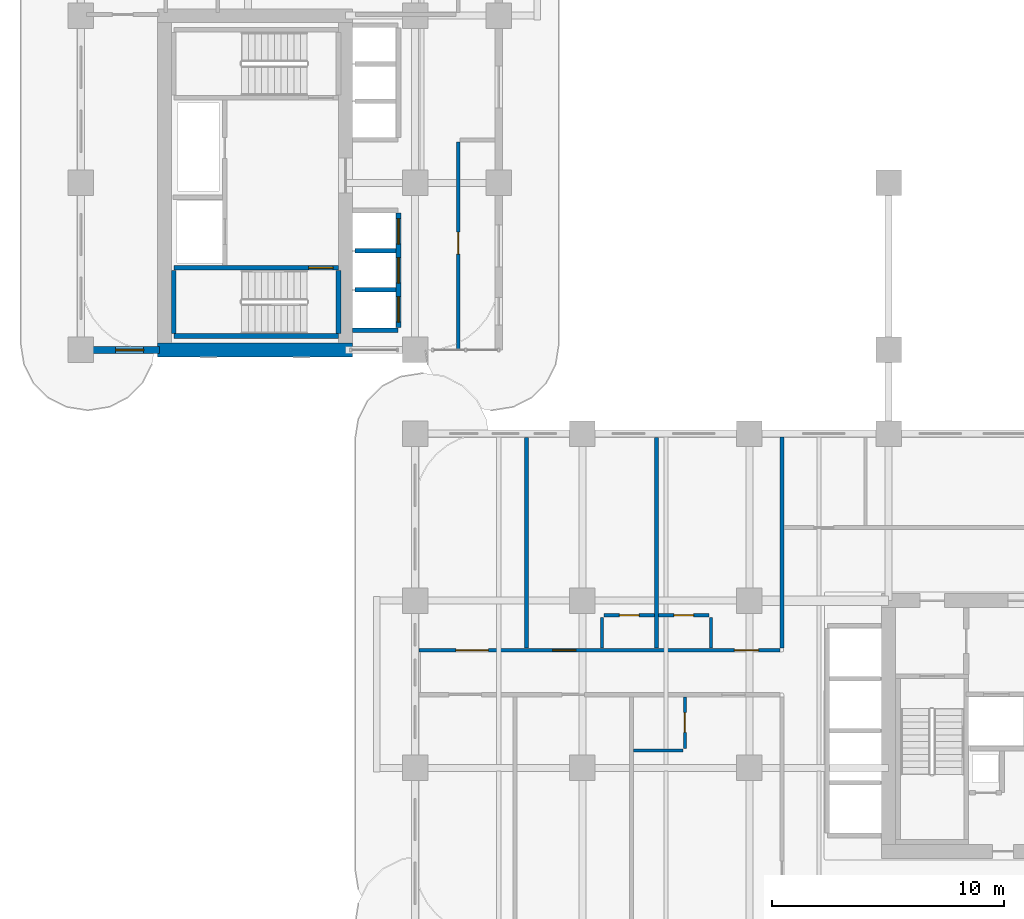
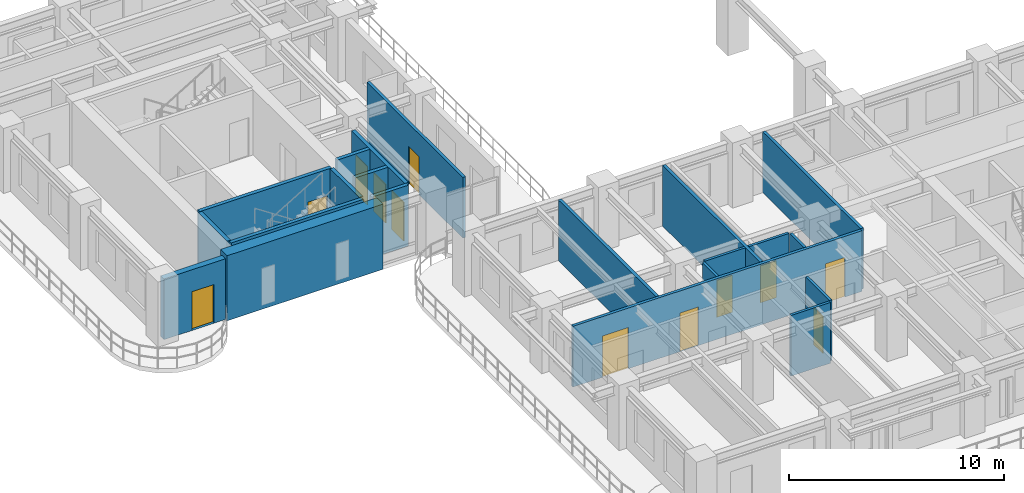
# One storey, part 7 of 19: 21 walls, 12 doors, 12 openings.
"""IFC4 building model written with IfcOpenShell, lengths in metres."""

from ifc_helpers import new_model, si_unit, derived_unit, direction, frame, frame_2d, origin, place, context, subcontext, project, spatial, rectangle, extrude, source, transform, mapped, material, layer, layer_set, type_object, type_shapes, element, fill, save


model = new_model("IFC4")

# Units and contexts
model_context = context("Model", 3, precision=1e-05, world=origin(), true_north=direction((0.0, 1.0)))
body_context = subcontext(model_context, "Body", "Model", "MODEL_VIEW")
ifc_project = project(units=[si_unit("LENGTHUNIT", "METRE"), si_unit("AREAUNIT", "SQUARE_METRE"), si_unit("VOLUMEUNIT", "CUBIC_METRE"), si_unit("PLANEANGLEUNIT", "RADIAN"), si_unit("MASSUNIT", "GRAM", prefix="KILO"), si_unit("THERMODYNAMICTEMPERATUREUNIT", "KELVIN"), si_unit("POWERUNIT", "WATT"), derived_unit("THERMALTRANSMITTANCEUNIT", [(si_unit("POWERUNIT", "WATT"), 1), (si_unit("AREAUNIT", "SQUARE_METRE"), -1), (si_unit("THERMODYNAMICTEMPERATUREUNIT", "KELVIN"), -1)])], contexts=[model_context])

# Site, building, storey
site_placement = place(None, origin())
site = spatial("IfcSite", under=ifc_project, at=site_placement, CompositionType="ELEMENT")
building_placement = place(site_placement, origin())
building = spatial("IfcBuilding", under=site, at=building_placement, Name="Zahravan Archway Hotel and Residences", CompositionType="ELEMENT")
storey_placement = place(building_placement, frame((0.0, 0.0, 54.60009765625)))
storey = spatial("IfcBuildingStorey", under=building, at=storey_placement, Name="L12", CompositionType="ELEMENT", Elevation=54.60009765625)

# Wall
ifc_material_1 = material(Name="Concrete C70/85", Category="concrete")
ifc_layer_1 = layer(ifc_material_1, 0.60009765625, Name="Concrete C70/85", Category="concrete")
ifc_layer_set_1 = layer_set([ifc_layer_1], Name="Concrete C70/85")
wall_type_1 = type_object("IfcWallType", Name="CW-CORE-600", PredefinedType="SHEAR", material=ifc_layer_set_1)
wall_1_placement = place(storey_placement, frame((3.300048828125, 25.199951171875, 0.0), z_axis=(0.0, 0.0, 1.0), x_axis=(1.0, 0.0, 0.0)))
element("IfcWall", 1, at=wall_1_placement, inside=storey, type_object=wall_type_1, Name="L12 Core B Shear S Wall 600 mm", PredefinedType="SHEAR", context=body_context, shape_type="SweptSolid", body=[
    extrude(rectangle(XDim=8.39990234375, YDim=0.60009765625, at=frame_2d((4.199951171875, 0.0))), origin(), (0.0, 0.0, 1.0), 3.699951171875),
])

# Wall, opening, door
ifc_material_2 = material(Name="Agra Buff Sandstone & Insulated Backup", Category="masonry")
ifc_layer_2 = layer(ifc_material_2, 0.320068359375, Name="Agra Buff Sandstone & Insulated Backup", Category="masonry")
ifc_layer_set_2 = layer_set([ifc_layer_2], Name="Agra Buff Sandstone & Insulated Backup")
wall_type_2 = type_object("IfcWallType", Name="EW-SAND-320", PredefinedType="SOLIDWALL", material=ifc_layer_set_2)
wall_2_placement = place(storey_placement, frame((0.0, 25.199951171875, 0.0), z_axis=(0.0, 0.0, 1.0), x_axis=(1.0, 0.0, 0.0)))
wall_2 = element("IfcWall", 2, at=wall_2_placement, inside=storey, type_object=wall_type_2, Name="L12 Exterior Sandstone Wall WB-SW", PredefinedType="SOLIDWALL", context=body_context, shape_type="SweptSolid", body=[
    extrude(rectangle(XDim=3.3798828125, YDim=0.320068359375, at=frame_2d((1.68994140625, 0.0))), origin(), (0.0, 0.0, 1.0), 3.449951171875),
])
opening_1_placement = place(wall_2_placement, frame((1.5, 0.0, 0.0)))
opening_1 = element("IfcOpeningElement", 3, at=opening_1_placement, cuts=wall_2, Name="Opening ED-BL1", PredefinedType="OPENING", context=body_context, shape_type="SweptSolid", body=[
    extrude(rectangle(XDim=1.199951171875, YDim=2.199951171875, at=frame_2d((0.60009765625, 1.10009765625))), frame((0.0, 0.169921875, 0.0), z_axis=(0.0, -1.0, 0.0), x_axis=(1.0, 0.0, 0.0)), (0.0, 0.0, 1.0), 0.340087890625),
])
ifc_material_3 = material(Name="Bronze-Anodized Glazed Aluminium", Category="aluminium")
door_type_1 = type_object("IfcDoorType", Name="ED-BALC-1200", OperationType="SLIDING_TO_LEFT", PredefinedType="DOOR", material=ifc_material_3)
shared_shape_1 = source(origin(), body_context, "Body", "SweptSolid", [
    extrude(rectangle(XDim=1.199951171875, YDim=2.199951171875, at=frame_2d((0.60009765625, 1.10009765625))), frame((0.0, 0.02490234375, 0.0), z_axis=(0.0, -1.0, 0.0), x_axis=(1.0, 0.0, 0.0)), (0.0, 0.0, 1.0), 0.050048828125),
])
type_shapes(door_type_1, [shared_shape_1])
door_1_placement = place(opening_1_placement, origin())
door_1 = element("IfcDoor", 4, at=door_1_placement, inside=storey, type_object=door_type_1, Name="L12 Outdoor Access Sliding Door (SLB-BAL-L12-WB)", OperationType="SLIDING_TO_LEFT", OverallHeight=2.199951171875, OverallWidth=1.199951171875, PredefinedType="DOOR", context=body_context, shape_type="MappedRepresentation", body=[
    mapped(shared_shape_1, transform((0.0, 0.0, 0.0), scale=1.0)),
])
fill(opening_1, door_1)

# Wall, openings, doors
ifc_material_4 = material(Name="Fire-Rated Gypsum & Concrete Block", Category="concrete")
ifc_layer_3 = layer(ifc_material_4, 0.159912109375, Name="Fire-Rated Gypsum & Concrete Block", Category="concrete")
ifc_layer_set_3 = layer_set([ifc_layer_3], Name="Fire-Rated Gypsum & Concrete Block")
wall_type_3 = type_object("IfcWallType", Name="PW-CORR-160", PredefinedType="PARTITIONING", material=ifc_layer_set_3)
wall_3_placement = place(storey_placement, frame((14.568115234375, 12.27001953125, 0.0), z_axis=(0.0, 0.0, 1.0), x_axis=(1.0, 0.0, 0.0)))
wall_3 = element("IfcWall", 5, at=wall_3_placement, inside=storey, type_object=wall_type_3, Name="L12 Partition WA-CN", PredefinedType="PARTITIONING", context=body_context, shape_type="SweptSolid", body=[
    extrude(rectangle(XDim=15.5419921875, YDim=0.159912109375, at=frame_2d((7.77099609375, 0.0))), origin(), (0.0, 0.0, 1.0), 3.449951171875),
])
opening_2_placement = place(wall_3_placement, frame((1.58203125, 0.0, 0.0)))
opening_2 = element("IfcOpeningElement", 6, at=opening_2_placement, cuts=wall_3, Name="Opening D-P1", PredefinedType="OPENING", context=body_context, shape_type="SweptSolid", body=[
    extrude(rectangle(XDim=1.39990234375, YDim=2.35009765625, at=frame_2d((0.699951171875, 1.175048828125))), frame((0.0, 0.08984375, 0.0), z_axis=(0.0, -1.0, 0.0), x_axis=(1.0, 0.0, 0.0)), (0.0, 0.0, 1.0), 0.179931640625),
])
opening_3_placement = place(wall_3_placement, frame((5.757080078125, 0.0, 0.0)))
opening_3 = element("IfcOpeningElement", 7, at=opening_3_placement, cuts=wall_3, Name="Opening D-U2", PredefinedType="OPENING", context=body_context, shape_type="SweptSolid", body=[
    extrude(rectangle(XDim=1.0, YDim=2.199951171875, at=frame_2d((0.5, 1.10009765625))), frame((0.0, 0.08984375, 0.0), z_axis=(0.0, -1.0, 0.0), x_axis=(1.0, 0.0, 0.0)), (0.0, 0.0, 1.0), 0.179931640625),
])
opening_4_placement = place(wall_3_placement, frame((13.58203125, 0.0, 0.0)))
opening_4 = element("IfcOpeningElement", 8, at=opening_4_placement, cuts=wall_3, Name="Opening D-U1", PredefinedType="OPENING", context=body_context, shape_type="SweptSolid", body=[
    extrude(rectangle(XDim=1.050048828125, YDim=2.25, at=frame_2d((0.52490234375, 1.125))), frame((0.0, 0.08984375, 0.0), z_axis=(0.0, -1.0, 0.0), x_axis=(1.0, 0.0, 0.0)), (0.0, 0.0, 1.0), 0.179931640625),
])
door_type_2 = type_object("IfcDoorType", Name="ID-PUBLIC-1400", OperationType="DOUBLE_DOOR_SINGLE_SWING", PredefinedType="DOOR", material=ifc_material_3)
shared_shape_2 = source(origin(), body_context, "Body", "SweptSolid", [
    extrude(rectangle(XDim=1.39990234375, YDim=2.35009765625, at=frame_2d((0.699951171875, 1.175048828125))), frame((0.0, 0.02490234375, 0.0), z_axis=(0.0, -1.0, 0.0), x_axis=(1.0, 0.0, 0.0)), (0.0, 0.0, 1.0), 0.050048828125),
])
type_shapes(door_type_2, [shared_shape_2])
door_2_placement = place(opening_2_placement, origin())
door_2 = element("IfcDoor", 9, at=door_2_placement, inside=storey, type_object=door_type_2, Name="L12 Portal Dining Door", OperationType="DOUBLE_DOOR_SINGLE_SWING", OverallHeight=2.35009765625, OverallWidth=1.39990234375, PredefinedType="DOOR", context=body_context, shape_type="MappedRepresentation", body=[
    mapped(shared_shape_2, transform((0.0, 0.0, 0.0), scale=1.0)),
])
fill(opening_2, door_2)
ifc_material_5 = material(Name="Hardwood Veneer Timber", Category="wood")
door_type_3 = type_object("IfcDoorType", Name="ID-UNIT-1050", OperationType="NOTDEFINED", PredefinedType="DOOR", material=ifc_material_5)
shared_shape_3 = source(origin(), body_context, "Body", "SweptSolid", [
    extrude(rectangle(XDim=1.050048828125, YDim=2.25, at=frame_2d((0.52490234375, 1.125))), frame((0.0, 0.02490234375, 0.0), z_axis=(0.0, -1.0, 0.0), x_axis=(1.0, 0.0, 0.0)), (0.0, 0.0, 1.0), 0.050048828125),
])
type_shapes(door_type_3, [shared_shape_3])
door_3_placement = place(opening_4_placement, origin())
door_3 = element("IfcDoor", 10, at=door_3_placement, inside=storey, type_object=door_type_3, Name="L12 Hotel Guestroom 44 Entrance Door", OperationType="SINGLE_SWING_LEFT", OverallHeight=2.25, OverallWidth=1.050048828125, PredefinedType="DOOR", context=body_context, shape_type="MappedRepresentation", body=[
    mapped(shared_shape_3, transform((0.0, 0.0, 0.0), scale=1.0)),
])
fill(opening_4, door_3)
door_type_4 = type_object("IfcDoorType", Name="ID-UNIT-1000", OperationType="NOTDEFINED", PredefinedType="DOOR", material=ifc_material_5)
shared_shape_4 = source(origin(), body_context, "Body", "SweptSolid", [
    extrude(rectangle(XDim=1.0, YDim=2.199951171875, at=frame_2d((0.5, 1.10009765625))), frame((0.0, 0.02490234375, 0.0), z_axis=(0.0, -1.0, 0.0), x_axis=(1.0, 0.0, 0.0)), (0.0, 0.0, 1.0), 0.050048828125),
])
type_shapes(door_type_4, [shared_shape_4])
door_4_placement = place(opening_3_placement, origin())
door_4 = element("IfcDoor", 11, at=door_4_placement, inside=storey, type_object=door_type_4, Name="L12 Hotel Guestroom 43 Entrance Door", OperationType="SINGLE_SWING_LEFT", OverallHeight=2.199951171875, OverallWidth=1.0, PredefinedType="DOOR", context=body_context, shape_type="MappedRepresentation", body=[
    mapped(shared_shape_4, transform((0.0, 0.0, 0.0), scale=1.0)),
])
fill(opening_3, door_4)

# Wall
wall_4_placement = place(storey_placement, frame((30.199951171875, 12.360107421875, 0.0), z_axis=(0.0, 0.0, 1.0), x_axis=(0.0, 1.0, 0.0)))
element("IfcWall", 12, at=wall_4_placement, inside=storey, type_object=wall_type_3, Name="L12 Partition WA-FW", PredefinedType="PARTITIONING", context=body_context, shape_type="SweptSolid", body=[
    extrude(rectangle(XDim=9.099853515625, YDim=0.159912109375, at=frame_2d((4.5498046875, 0.0))), origin(), (0.0, 0.0, 1.0), 3.449951171875),
])

# Wall, opening, door
wall_5_placement = place(storey_placement, frame((16.25, 25.22802734375, 0.0), z_axis=(0.0, 0.0, 1.0), x_axis=(0.0, 1.0, 0.0)))
wall_5 = element("IfcWall", 13, at=wall_5_placement, inside=storey, type_object=wall_type_3, Name="L12 Partition WB-CE", PredefinedType="PARTITIONING", context=body_context, shape_type="SweptSolid", body=[
    extrude(rectangle(XDim=8.931884765625, YDim=0.159912109375, at=frame_2d((4.4658203125, 0.0))), origin(), (0.0, 0.0, 1.0), 3.449951171875),
])
opening_5_placement = place(wall_5_placement, frame((4.096923828125, 0.0, 0.0)))
opening_5 = element("IfcOpeningElement", 14, at=opening_5_placement, cuts=wall_5, Name="Opening D-I1", PredefinedType="OPENING", context=body_context, shape_type="SweptSolid", body=[
    extrude(rectangle(XDim=0.949951171875, YDim=2.14990234375, at=frame_2d((0.47509765625, 1.074951171875))), frame((0.0, 0.08984375, 0.0), z_axis=(0.0, -1.0, 0.0), x_axis=(1.0, 0.0, 0.0)), (0.0, 0.0, 1.0), 0.179931640625),
])
door_type_5 = type_object("IfcDoorType", Name="ID-INT-950", OperationType="NOTDEFINED", PredefinedType="DOOR", material=ifc_material_5)
shared_shape_5 = source(origin(), body_context, "Body", "SweptSolid", [
    extrude(rectangle(XDim=0.949951171875, YDim=2.14990234375, at=frame_2d((0.47509765625, 1.074951171875))), frame((0.0, 0.02490234375, 0.0), z_axis=(0.0, -1.0, 0.0), x_axis=(1.0, 0.0, 0.0)), (0.0, 0.0, 1.0), 0.050048828125),
])
type_shapes(door_type_5, [shared_shape_5])
door_5_placement = place(opening_5_placement, origin())
door_5 = element("IfcDoor", 15, at=door_5_placement, inside=storey, type_object=door_type_5, Name="L12 Wing B Portal Study Door", OperationType="SINGLE_SWING_RIGHT", OverallHeight=2.14990234375, OverallWidth=0.949951171875, PredefinedType="DOOR", context=body_context, shape_type="MappedRepresentation", body=[
    mapped(shared_shape_5, transform((0.0, 0.0, 0.0), scale=1.0)),
])
fill(opening_5, door_5)

# Wall
ifc_layer_4 = layer(ifc_material_4, 0.199951171875, Name="Fire-Rated Gypsum & Concrete Block", Category="concrete")
ifc_layer_set_4 = layer_set([ifc_layer_4], Name="Fire-Rated Gypsum & Concrete Block")
wall_type_4 = type_object("IfcWallType", Name="PW-SHAFT-200", PredefinedType="PARTITIONING", material=ifc_layer_set_4)
wall_6_placement = place(storey_placement, frame((11.7099609375, 26.050048828125, 0.0), z_axis=(0.0, 0.0, 1.0), x_axis=(1.0, 0.0, 0.0)))
element("IfcWall", 16, at=wall_6_placement, inside=storey, type_object=wall_type_4, Name="L12 Partition B1-S", PredefinedType="PARTITIONING", context=body_context, shape_type="SweptSolid", body=[
    extrude(rectangle(XDim=1.9599609375, YDim=0.199951171875, at=frame_2d((0.97998046875, 0.0))), origin(), (0.0, 0.0, 1.0), 3.449951171875),
])

# Wall, openings, doors
wall_7_placement = place(storey_placement, frame((13.679931640625, 26.159912109375, 0.0), z_axis=(0.0, 0.0, 1.0), x_axis=(0.0, 1.0, 0.0)))
wall_7 = element("IfcWall", 17, at=wall_7_placement, inside=storey, type_object=wall_type_4, Name="L12 Partition B1-E", PredefinedType="PARTITIONING", context=body_context, shape_type="SweptSolid", body=[
    extrude(rectangle(XDim=4.940185546875, YDim=0.199951171875, at=frame_2d((2.47021484375, 0.0))), origin(), (0.0, 0.0, 1.0), 3.449951171875),
])
opening_6_placement = place(wall_7_placement, frame((0.239990234375, 0.0, 0.0)))
opening_6 = element("IfcOpeningElement", 18, at=opening_6_placement, cuts=wall_7, Name="Opening LD", PredefinedType="OPENING", context=body_context, shape_type="SweptSolid", body=[
    extrude(rectangle(XDim=1.10009765625, YDim=2.199951171875, at=frame_2d((0.550048828125, 1.10009765625))), frame((0.0, 0.10986328125, 0.0), z_axis=(0.0, -1.0, 0.0), x_axis=(1.0, 0.0, 0.0)), (0.0, 0.0, 1.0), 0.219970703125),
])
opening_7_placement = place(wall_7_placement, frame((1.919921875, 0.0, 0.0)))
opening_7 = element("IfcOpeningElement", 19, at=opening_7_placement, cuts=wall_7, Name="Opening LD", PredefinedType="OPENING", context=body_context, shape_type="SweptSolid", body=[
    extrude(rectangle(XDim=1.10009765625, YDim=2.199951171875, at=frame_2d((0.550048828125, 1.10009765625))), frame((0.0, 0.10986328125, 0.0), z_axis=(0.0, -1.0, 0.0), x_axis=(1.0, 0.0, 0.0)), (0.0, 0.0, 1.0), 0.219970703125),
])
opening_8_placement = place(wall_7_placement, frame((3.60009765625, 0.0, 0.0)))
opening_8 = element("IfcOpeningElement", 20, at=opening_8_placement, cuts=wall_7, Name="Opening LD", PredefinedType="OPENING", context=body_context, shape_type="SweptSolid", body=[
    extrude(rectangle(XDim=1.10009765625, YDim=2.199951171875, at=frame_2d((0.550048828125, 1.10009765625))), frame((0.0, 0.10986328125, 0.0), z_axis=(0.0, -1.0, 0.0), x_axis=(1.0, 0.0, 0.0)), (0.0, 0.0, 1.0), 0.219970703125),
])
ifc_material_6 = material(Name="Brushed Stainless Steel", Category="steel")
door_type_6 = type_object("IfcDoorType", Name="DR-LIFT-LD", OperationType="SLIDING_TO_LEFT", PredefinedType="DOOR", material=ifc_material_6)
shared_shape_6 = source(origin(), body_context, "Body", "SweptSolid", [
    extrude(rectangle(XDim=1.10009765625, YDim=2.199951171875, at=frame_2d((0.550048828125, 1.10009765625))), frame((0.0, 0.02490234375, 0.0), z_axis=(0.0, -1.0, 0.0), x_axis=(1.0, 0.0, 0.0)), (0.0, 0.0, 1.0), 0.050048828125),
])
type_shapes(door_type_6, [shared_shape_6])
door_6_placement = place(opening_6_placement, origin())
door_6 = element("IfcDoor", 21, at=door_6_placement, inside=storey, type_object=door_type_6, Name="L12 Lift LP-1 Sliding Landing Door", OperationType="SLIDING_TO_LEFT", OverallHeight=2.199951171875, OverallWidth=1.10009765625, PredefinedType="DOOR", context=body_context, shape_type="MappedRepresentation", body=[
    mapped(shared_shape_6, transform((0.0, 0.0, 0.0), scale=1.0)),
])
fill(opening_6, door_6)
door_7_placement = place(opening_7_placement, origin())
door_7 = element("IfcDoor", 22, at=door_7_placement, inside=storey, type_object=door_type_6, Name="L12 Lift LP-2 Sliding Landing Door", OperationType="SLIDING_TO_LEFT", OverallHeight=2.199951171875, OverallWidth=1.10009765625, PredefinedType="DOOR", context=body_context, shape_type="MappedRepresentation", body=[
    mapped(shared_shape_6, transform((0.0, 0.0, 0.0), scale=1.0)),
])
fill(opening_7, door_7)
door_8_placement = place(opening_8_placement, origin())
door_8 = element("IfcDoor", 23, at=door_8_placement, inside=storey, type_object=door_type_6, Name="L12 Lift LP-3 Sliding Landing Door", OperationType="SLIDING_TO_LEFT", OverallHeight=2.199951171875, OverallWidth=1.10009765625, PredefinedType="DOOR", context=body_context, shape_type="MappedRepresentation", body=[
    mapped(shared_shape_6, transform((0.0, 0.0, 0.0), scale=1.0)),
])
fill(opening_8, door_8)

# Walls
for number, where, z_axis, x_axis, name in (
    (24, (11.81005859375, 27.7900390625, 0.0), (0.0, 0.0, 1.0), (1.0, 0.0, 0.0), "L12 Partition B1-D"),
    (25, (11.81005859375, 29.469970703125, 0.0), (0.0, 0.0, 1.0), (1.0, 0.0, 0.0), "L12 Partition B1-D"),
):
    element("IfcWall", number, at=place(storey_placement, frame(where, z_axis=z_axis, x_axis=x_axis)), inside=storey, type_object=wall_type_4, Name=name, PredefinedType="PARTITIONING", context=body_context, shape_type="SweptSolid", body=[
        extrude(rectangle(XDim=1.760009765625, YDim=0.199951171875, at=frame_2d((0.8798828125, 0.0))), origin(), (0.0, 0.0, 1.0), 3.449951171875),
    ])
ifc_material_7 = material(Name="Acoustic Stud Partition")
ifc_layer_5 = layer(ifc_material_7, 0.169921875, Name="Acoustic Stud Partition")
ifc_layer_set_5 = layer_set([ifc_layer_5], Name="Acoustic Stud Partition")
wall_type_5 = type_object("IfcWallType", Name="PW-UNIT-170", PredefinedType="PARTITIONING", material=ifc_layer_set_5)
for number, where, z_axis, x_axis, name in (
    (26, (19.199951171875, 12.360107421875, 0.0), (0.0, 0.0, 1.0), (0.0, 1.0, 0.0), "L12 Partition WAN-P2A"),
    (27, (24.800048828125, 12.360107421875, 0.0), (0.0, 0.0, 1.0), (0.0, 1.0, 0.0), "L12 Partition WAN-P2B"),
):
    element("IfcWall", number, at=place(storey_placement, frame(where, z_axis=z_axis, x_axis=x_axis)), inside=storey, type_object=wall_type_5, Name=name, PredefinedType="PARTITIONING", context=body_context, shape_type="SweptSolid", body=[
        extrude(rectangle(XDim=9.07177734375, YDim=0.169921875, at=frame_2d((4.535888671875, 0.0))), origin(), (0.0, 0.0, 1.0), 3.449951171875),
    ])

# Wall, opening, door
ifc_material_8 = material(Name="Moisture-Resistant Blockwork", Category="masonry")
ifc_layer_6 = layer(ifc_material_8, 0.139892578125, Name="Moisture-Resistant Blockwork", Category="masonry")
ifc_layer_set_6 = layer_set([ifc_layer_6], Name="Moisture-Resistant Blockwork")
wall_type_6 = type_object("IfcWallType", Name="PW-WET-140", PredefinedType="PARTITIONING", material=ifc_layer_set_6)
wall_8_placement = place(storey_placement, frame((26.02001953125, 8.0400390625, 0.0), z_axis=(0.0, 0.0, 1.0), x_axis=(0.0, 1.0, 0.0)))
wall_8 = element("IfcWall", 28, at=wall_8_placement, inside=storey, type_object=wall_type_6, Name="L12 Partition HKB-V21", PredefinedType="PARTITIONING", context=body_context, shape_type="SweptSolid", body=[
    extrude(rectangle(XDim=2.219970703125, YDim=0.139892578125, at=frame_2d((1.10986328125, 0.0))), origin(), (0.0, 0.0, 1.0), 3.449951171875),
])
opening_9_placement = place(wall_8_placement, frame((0.68505859375, 0.0, 0.0)))
opening_9 = element("IfcOpeningElement", 29, at=opening_9_placement, cuts=wall_8, Name="Opening D-B1", PredefinedType="OPENING", context=body_context, shape_type="SweptSolid", body=[
    extrude(rectangle(XDim=0.85009765625, YDim=2.10009765625, at=frame_2d((0.425048828125, 1.050048828125))), frame((0.0, 0.080078125, 0.0), z_axis=(0.0, -1.0, 0.0), x_axis=(1.0, 0.0, 0.0)), (0.0, 0.0, 1.0), 0.159912109375),
])
door_type_7 = type_object("IfcDoorType", Name="ID-BATH-850", OperationType="NOTDEFINED", PredefinedType="DOOR", material=ifc_material_5)
shared_shape_7 = source(origin(), body_context, "Body", "SweptSolid", [
    extrude(rectangle(XDim=0.85009765625, YDim=2.10009765625, at=frame_2d((0.425048828125, 1.050048828125))), frame((0.0, 0.02490234375, 0.0), z_axis=(0.0, -1.0, 0.0), x_axis=(1.0, 0.0, 0.0)), (0.0, 0.0, 1.0), 0.050048828125),
])
type_shapes(door_type_7, [shared_shape_7])
door_9_placement = place(opening_9_placement, origin())
door_9 = element("IfcDoor", 30, at=door_9_placement, inside=storey, type_object=door_type_7, Name="L12 Guestroom 21 En-Suite Door", OperationType="SINGLE_SWING_RIGHT", OverallHeight=2.10009765625, OverallWidth=0.85009765625, PredefinedType="DOOR", context=body_context, shape_type="MappedRepresentation", body=[
    mapped(shared_shape_7, transform((0.0, 0.0, 0.0), scale=1.0)),
])
fill(opening_9, door_9)

# Walls
wall_9_placement = place(storey_placement, frame((23.81005859375, 7.949951171875, 0.0), z_axis=(0.0, 0.0, 1.0), x_axis=(1.0, 0.0, 0.0)))
element("IfcWall", 31, at=wall_9_placement, inside=storey, type_object=wall_type_6, Name="L12 Partition HKB-H21", PredefinedType="PARTITIONING", context=body_context, shape_type="SweptSolid", body=[
    extrude(rectangle(XDim=2.119873046875, YDim=0.139892578125, at=frame_2d((1.06005859375, 0.0))), origin(), (0.0, 0.0, 1.0), 3.449951171875),
])
wall_10_placement = place(storey_placement, frame((22.449951171875, 12.360107421875, 0.0), z_axis=(0.0, 0.0, 1.0), x_axis=(0.0, 1.0, 0.0)))
element("IfcWall", 32, at=wall_10_placement, inside=storey, type_object=wall_type_6, Name="L12 Partition HKB-V43", PredefinedType="PARTITIONING", context=body_context, shape_type="SweptSolid", body=[
    extrude(rectangle(XDim=1.31982421875, YDim=0.139892578125, at=frame_2d((0.659912109375, 0.0))), origin(), (0.0, 0.0, 1.0), 3.449951171875),
])

# Wall, opening, door
wall_11_placement = place(storey_placement, frame((22.5400390625, 13.77001953125, 0.0), z_axis=(0.0, 0.0, 1.0), x_axis=(1.0, 0.0, 0.0)))
wall_11 = element("IfcWall", 33, at=wall_11_placement, inside=storey, type_object=wall_type_6, Name="L12 Partition HKB-H43", PredefinedType="PARTITIONING", context=body_context, shape_type="SweptSolid", body=[
    extrude(rectangle(XDim=2.169921875, YDim=0.139892578125, at=frame_2d((1.0849609375, 0.0))), origin(), (0.0, 0.0, 1.0), 3.449951171875),
])
opening_10_placement = place(wall_11_placement, frame((0.659912109375, 0.0, 0.0)))
opening_10 = element("IfcOpeningElement", 34, at=opening_10_placement, cuts=wall_11, Name="Opening D-B1", PredefinedType="OPENING", context=body_context, shape_type="SweptSolid", body=[
    extrude(rectangle(XDim=0.85009765625, YDim=2.10009765625, at=frame_2d((0.425048828125, 1.050048828125))), frame((0.0, 0.080078125, 0.0), z_axis=(0.0, -1.0, 0.0), x_axis=(1.0, 0.0, 0.0)), (0.0, 0.0, 1.0), 0.159912109375),
])
door_10_placement = place(opening_10_placement, origin())
door_10 = element("IfcDoor", 35, at=door_10_placement, inside=storey, type_object=door_type_7, Name="L12 Guestroom 43 En-Suite Door", OperationType="SINGLE_SWING_RIGHT", OverallHeight=2.10009765625, OverallWidth=0.85009765625, PredefinedType="DOOR", context=body_context, shape_type="MappedRepresentation", body=[
    mapped(shared_shape_7, transform((0.0, 0.0, 0.0), scale=1.0)),
])
fill(opening_10, door_10)

# Wall
wall_12_placement = place(storey_placement, frame((27.14990234375, 12.360107421875, 0.0), z_axis=(0.0, 0.0, 1.0), x_axis=(0.0, 1.0, 0.0)))
element("IfcWall", 36, at=wall_12_placement, inside=storey, type_object=wall_type_6, Name="L12 Partition HKB-V44", PredefinedType="PARTITIONING", context=body_context, shape_type="SweptSolid", body=[
    extrude(rectangle(XDim=1.31982421875, YDim=0.139892578125, at=frame_2d((0.659912109375, 0.0))), origin(), (0.0, 0.0, 1.0), 3.449951171875),
])

# Wall, opening, door
wall_13_placement = place(storey_placement, frame((24.889892578125, 13.77001953125, 0.0), z_axis=(0.0, 0.0, 1.0), x_axis=(1.0, 0.0, 0.0)))
wall_13 = element("IfcWall", 37, at=wall_13_placement, inside=storey, type_object=wall_type_6, Name="L12 Partition HKB-H44", PredefinedType="PARTITIONING", context=body_context, shape_type="SweptSolid", body=[
    extrude(rectangle(XDim=2.170166015625, YDim=0.139892578125, at=frame_2d((1.0849609375, 0.0))), origin(), (0.0, 0.0, 1.0), 3.449951171875),
])
opening_11_placement = place(wall_13_placement, frame((0.659912109375, 0.0, 0.0)))
opening_11 = element("IfcOpeningElement", 38, at=opening_11_placement, cuts=wall_13, Name="Opening D-B1", PredefinedType="OPENING", context=body_context, shape_type="SweptSolid", body=[
    extrude(rectangle(XDim=0.85009765625, YDim=2.10009765625, at=frame_2d((0.425048828125, 1.050048828125))), frame((0.0, 0.080078125, 0.0), z_axis=(0.0, -1.0, 0.0), x_axis=(1.0, 0.0, 0.0)), (0.0, 0.0, 1.0), 0.159912109375),
])
door_11_placement = place(opening_11_placement, origin())
door_11 = element("IfcDoor", 39, at=door_11_placement, inside=storey, type_object=door_type_7, Name="L12 Guestroom 44 En-Suite Door", OperationType="SINGLE_SWING_RIGHT", OverallHeight=2.10009765625, OverallWidth=0.85009765625, PredefinedType="DOOR", context=body_context, shape_type="MappedRepresentation", body=[
    mapped(shared_shape_7, transform((0.0, 0.0, 0.0), scale=1.0)),
])
fill(opening_11, door_11)

# Walls
ifc_material_9 = material(Name="Concrete C50/60", Category="concrete")
ifc_layer_7 = layer(ifc_material_9, 0.199951171875, Name="Concrete C50/60", Category="concrete")
ifc_layer_set_7 = layer_set([ifc_layer_7], Name="Concrete C50/60")
wall_type_7 = type_object("IfcWallType", Name="SW-STAIR-200", PredefinedType="SHEAR", material=ifc_layer_set_7)
wall_14_placement = place(storey_placement, frame((4.0, 25.800048828125, 0.0), z_axis=(0.0, 0.0, 1.0), x_axis=(1.0, 0.0, 0.0)))
element("IfcWall", 40, at=wall_14_placement, inside=storey, type_object=wall_type_7, Name="L12 Stairwell RC Wall CB-SB1S", PredefinedType="SHEAR", context=body_context, shape_type="SweptSolid", body=[
    extrude(rectangle(XDim=7.10009765625, YDim=0.199951171875, at=frame_2d((3.550048828125, 0.0))), origin(), (0.0, 0.0, 1.0), 3.699951171875),
])
for number, where, z_axis, x_axis, name in (
    (41, (4.0, 25.919921875, 0.0), (0.0, 0.0, 1.0), (0.0, 1.0, 0.0), "L12 Stairwell RC Wall CB-SB1W"),
    (42, (11.10009765625, 25.919921875, 0.0), (0.0, 0.0, 1.0), (0.0, 1.0, 0.0), "L12 Stairwell RC Wall CB-SB1E"),
):
    element("IfcWall", number, at=place(storey_placement, frame(where, z_axis=z_axis, x_axis=x_axis)), inside=storey, type_object=wall_type_7, Name=name, PredefinedType="SHEAR", context=body_context, shape_type="SweptSolid", body=[
        extrude(rectangle(XDim=2.7001953125, YDim=0.199951171875, at=frame_2d((1.35009765625, 0.0))), origin(), (0.0, 0.0, 1.0), 3.699951171875),
    ])

# Wall, opening, door
wall_15_placement = place(storey_placement, frame((4.0, 28.739990234375, 0.0), z_axis=(0.0, 0.0, 1.0), x_axis=(1.0, 0.0, 0.0)))
wall_15 = element("IfcWall", 43, at=wall_15_placement, inside=storey, type_object=wall_type_7, Name="L12 Stairwell RC Wall CB-SB1N", PredefinedType="SHEAR", context=body_context, shape_type="SweptSolid", body=[
    extrude(rectangle(XDim=7.10009765625, YDim=0.199951171875, at=frame_2d((3.550048828125, 0.0))), origin(), (0.0, 0.0, 1.0), 3.699951171875),
])
opening_12_placement = place(wall_15_placement, frame((5.81494140625, 0.0, 0.0)))
opening_12 = element("IfcOpeningElement", 44, at=opening_12_placement, cuts=wall_15, Name="Opening FD-S1", PredefinedType="OPENING", context=body_context, shape_type="SweptSolid", body=[
    extrude(rectangle(XDim=1.050048828125, YDim=2.199951171875, at=frame_2d((0.52490234375, 1.10009765625))), frame((0.0, 0.10986328125, 0.0), z_axis=(0.0, -1.0, 0.0), x_axis=(1.0, 0.0, 0.0)), (0.0, 0.0, 1.0), 0.219970703125),
])
ifc_material_10 = material(Name="Fire-Rated Painted Steel", Category="steel")
door_type_8 = type_object("IfcDoorType", Name="FD-STAIR-1100", OperationType="NOTDEFINED", PredefinedType="DOOR", material=ifc_material_10)
shared_shape_8 = source(origin(), body_context, "Body", "SweptSolid", [
    extrude(rectangle(XDim=1.050048828125, YDim=2.199951171875, at=frame_2d((0.52490234375, 1.10009765625))), frame((0.0, 0.02490234375, 0.0), z_axis=(0.0, -1.0, 0.0), x_axis=(1.0, 0.0, 0.0)), (0.0, 0.0, 1.0), 0.050048828125),
])
type_shapes(door_type_8, [shared_shape_8])
door_12_placement = place(opening_12_placement, origin())
door_12 = element("IfcDoor", 45, at=door_12_placement, inside=storey, type_object=door_type_8, Name="L12 Stair ST-B1 Door", OperationType="SINGLE_SWING_RIGHT", OverallHeight=2.199951171875, OverallWidth=1.050048828125, PredefinedType="DOOR", context=body_context, shape_type="MappedRepresentation", body=[
    mapped(shared_shape_8, transform((0.0, 0.0, 0.0), scale=1.0)),
])
fill(opening_12, door_12)

save(model, "model.ifc")
